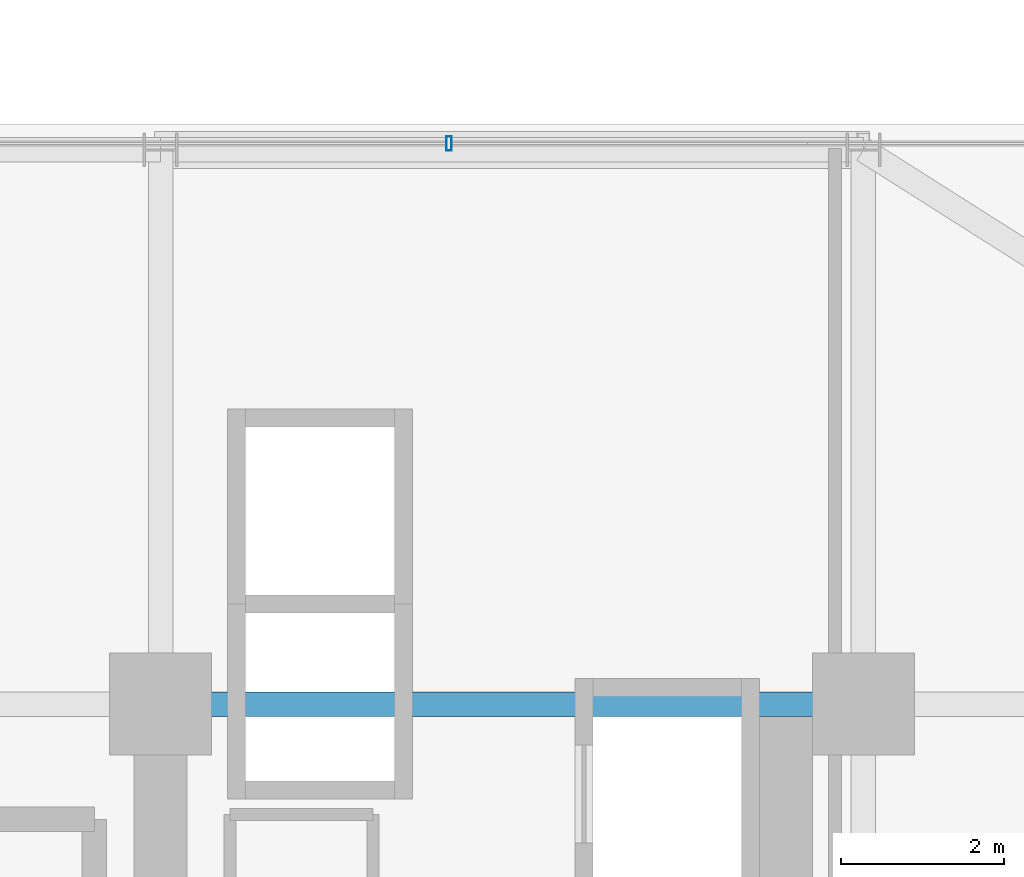
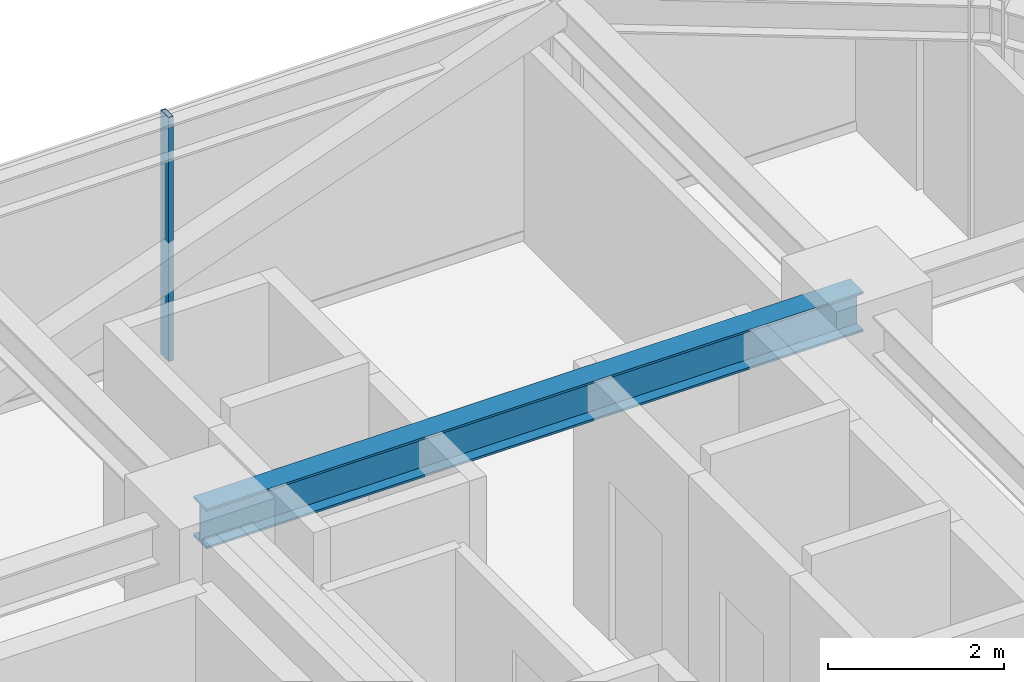
# One storey, part 22 of 39: 1 beam, 1 member, 1 element without a shape of its own.
"""IFC4 building model written with IfcOpenShell, lengths in metres."""

from ifc_helpers import new_model, si_unit, direction, frame, origin, origin_2d, place, context, subcontext, project, spatial, hollow_rectangle, i_section, extrude, source, transform, mapped, material, material_profile, profile_set, type_object, element, aggregate, save


model = new_model("IFC4")

# Units and contexts
model_context = context("Model", 3, precision=1e-05, world=origin(), true_north=direction((0.0, 1.0)))
body_context = subcontext(model_context, "Body", "Model", "MODEL_VIEW")
ifc_project = project(units=[si_unit("LENGTHUNIT", "METRE"), si_unit("AREAUNIT", "SQUARE_METRE"), si_unit("VOLUMEUNIT", "CUBIC_METRE"), si_unit("PLANEANGLEUNIT", "RADIAN"), si_unit("MASSUNIT", "GRAM", prefix="KILO")], contexts=[model_context])

# Site, building, storey
site_placement = place(None, origin())
site = spatial("IfcSite", under=ifc_project, at=site_placement, CompositionType="ELEMENT")
building_placement = place(site_placement, origin())
building = spatial("IfcBuilding", under=site, at=building_placement, Name="Nahalor Promenade Grand Hotel", CompositionType="ELEMENT")
storey_placement = place(building_placement, frame((0.0, 0.0, 135.75)))
storey = spatial("IfcBuildingStorey", under=building, at=storey_placement, Name="L34", CompositionType="ELEMENT", Elevation=135.75)

# Beam
ifc_material_1 = material(Name="Steel S355JR", Category="steel")
ifc_material_profile_1 = material_profile(ifc_material_1, i_section(OverallWidth=0.3, OverallDepth=0.55, WebThickness=0.015, FlangeThickness=0.029, at=origin_2d()), Name="HEB 550")
ifc_profile_set_1 = profile_set([ifc_material_profile_1], Name="Steel S355JR")
beam_type = type_object("IfcBeamType", Name="Beam-Girder-HEB550", PredefinedType="BEAM", material=ifc_profile_set_1)
shared_shape_1 = source(origin(), body_context, "Body", "SweptSolid", [
    extrude(i_section(OverallWidth=0.3, OverallDepth=0.55, WebThickness=0.015, FlangeThickness=0.029, at=origin_2d()), origin(), (0.0, 0.0, 1.0), 8.60009765625),
])
beam_placement = place(storey_placement, frame((8.39990234375, 17.0, 3.10498046875), z_axis=(1.0, 0.0, 0.0), x_axis=(0.0, 1.0, 0.0)))
element("IfcBeam", 1, at=beam_placement, inside=storey, type_object=beam_type, Name="BM-L34-GX-3-5", PredefinedType="BEAM", context=body_context, shape_type="MappedRepresentation", body=[
    mapped(shared_shape_1, transform((0.0, 0.0, 0.0), scale=1.0)),
])

# Curtain wall, member
ifc_material_2 = material(Name="Anodised Bronze Aluminium EN AW-6063 T6", Category="aluminium")
curtain_wall_type = type_object("IfcCurtainWallType", Name="CW2 Typical Hotel Flush Bronze Unitised Curtain Wall", PredefinedType="USERDEFINED", material=ifc_material_2)
curtain_wall_placement = place(storey_placement, origin())
curtain_wall = element("IfcCurtainWall", 2, at=curtain_wall_placement, inside=storey, type_object=curtain_wall_type, Name="L34 Curtain Wall CW-L34-N-3", ObjectType="UNITISED_CURTAIN_WALL", PredefinedType="USERDEFINED")
ifc_material_profile_2 = material_profile(ifc_material_2, hollow_rectangle(XDim=0.065, YDim=0.18, WallThickness=0.004, at=origin_2d()), Name="CWM 65x180x4")
ifc_profile_set_2 = profile_set([ifc_material_profile_2], Name="Anodised Bronze Aluminium EN AW-6063 T6")
member_type = type_object("IfcMemberType", Name="CWM2 Typical Bronze Mullion 65x180", PredefinedType="MULLION", material=ifc_profile_set_2)
shared_shape_2 = source(origin(), body_context, "Body", "SweptSolid", [
    extrude(hollow_rectangle(XDim=0.065, YDim=0.18, WallThickness=0.004, at=origin_2d()), origin(), (0.0, 0.0, 1.0), 3.3798828125),
])
member_placement = place(storey_placement, frame((11.929931640625, 23.860107421875, 0.0), z_axis=(0.0, 0.0, 1.0), x_axis=(1.0, 0.0, 0.0)))
member = element("IfcMember", 3, at=member_placement, type_object=member_type, Name="CW-L34-N-3 Mullion 1", PredefinedType="MULLION", context=body_context, shape_type="MappedRepresentation", body=[
    mapped(shared_shape_2, transform((0.0, 0.0, 0.0), scale=1.0)),
])
aggregate(curtain_wall, [member])

save(model, "model.ifc")
